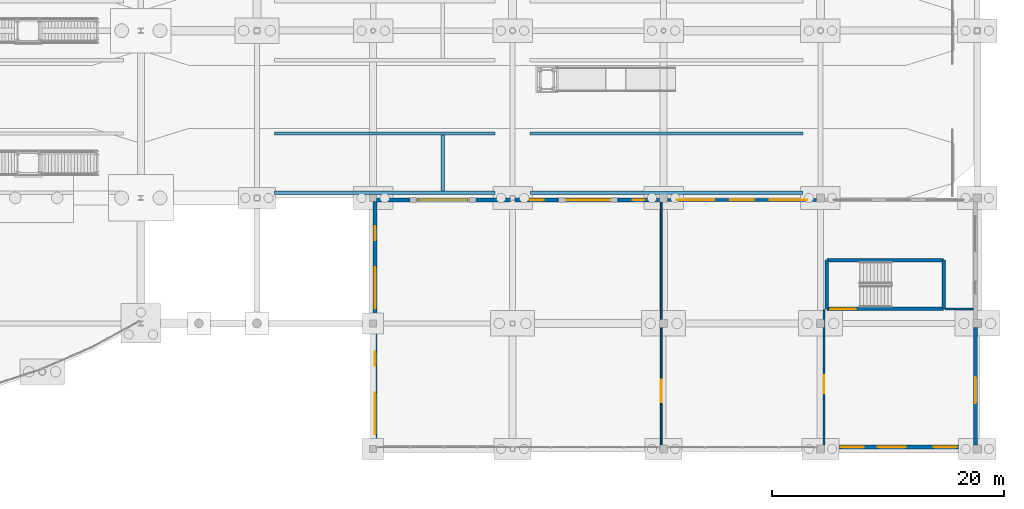
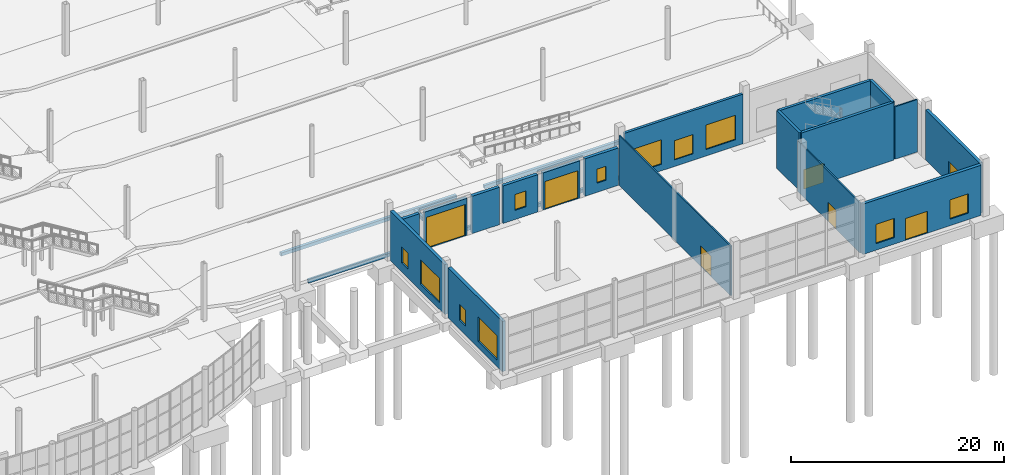
# One storey, part 92 of 115: 23 walls, 11 windows, 7 doors, 18 openings.
"""IFC4 building model written with IfcOpenShell, lengths in metres."""

from ifc_helpers import new_model, si_unit, direction, frame, frame_2d, origin, place, context, subcontext, project, spatial, rectangle, extrude, material, layer, layer_set, type_object, element, fill, save


model = new_model("IFC4")

# Units and contexts
model_context = context("Model", 3, precision=1e-05, world=origin(), true_north=direction((0.0, 1.0)))
body_context = subcontext(model_context, "Body", "Model", "MODEL_VIEW")
ifc_project = project(units=[si_unit("LENGTHUNIT", "METRE"), si_unit("AREAUNIT", "SQUARE_METRE"), si_unit("VOLUMEUNIT", "CUBIC_METRE"), si_unit("PLANEANGLEUNIT", "RADIAN"), si_unit("MASSUNIT", "GRAM", prefix="KILO")], contexts=[model_context])

# Site, building, storey
site_placement = place(None, origin())
site = spatial("IfcSite", under=ifc_project, at=site_placement, CompositionType="ELEMENT")
building_placement = place(site_placement, origin())
building = spatial("IfcBuilding", under=site, at=building_placement, Name="Tamarisk Ironworks Central Station", CompositionType="ELEMENT")
storey_placement = place(building_placement, origin())
storey = spatial("IfcBuildingStorey", under=building, at=storey_placement, Name="L00", CompositionType="ELEMENT", Elevation=0.0)

# Wall, openings, windows
ifc_material_1 = material(Name="Clay facing brickwork and mortar", Category="masonry")
ifc_layer_1 = layer(ifc_material_1, 0.280029296875)
ifc_layer_set_1 = layer_set([ifc_layer_1], Name="Clay facing brickwork and mortar")
wall_type_1 = type_object("IfcWallType", Name="WL-BR280", PredefinedType="STANDARD", material=ifc_layer_set_1)
wall_1_placement = place(storey_placement, frame((153.347900390625, 21.429931640625, 0.0), z_axis=(0.0, 0.0, 1.0), x_axis=(1.0, 0.0, 0.0)))
wall_1 = element("IfcWall", 1, at=wall_1_placement, inside=storey, type_object=wall_type_1, Name="L00 brick facade wall 0112", PredefinedType="STANDARD", context=body_context, shape_type="SweptSolid", body=[
    extrude(rectangle(XDim=12.80419921875, YDim=0.280029296875, at=frame_2d((6.402099609375, 0.0))), origin(), (0.0, 0.0, 1.0), 5.68994140625),
])
opening_1_placement = place(wall_1_placement, frame((0.801025390625, 0.0, 0.75)))
opening_1 = element("IfcOpeningElement", 2, at=opening_1_placement, cuts=wall_1, Name="Opening W02", PredefinedType="OPENING", context=body_context, shape_type="SweptSolid", body=[
    extrude(rectangle(XDim=3.199951171875, YDim=2.800048828125, at=frame_2d((1.60009765625, 1.39990234375))), frame((0.0, 0.15185546875, 0.0), z_axis=(0.0, -1.0, 0.0), x_axis=(1.0, 0.0, 0.0)), (0.0, 0.0, 1.0), 0.303955078125),
])
opening_2_placement = place(wall_1_placement, frame((5.402099609375, 0.0, 0.75)))
opening_2 = element("IfcOpeningElement", 3, at=opening_2_placement, cuts=wall_1, Name="Opening W08", PredefinedType="OPENING", context=body_context, shape_type="SweptSolid", body=[
    extrude(rectangle(XDim=2.0, YDim=2.199951171875, at=frame_2d((1.0, 1.10009765625))), frame((0.0, 0.15185546875, 0.0), z_axis=(0.0, -1.0, 0.0), x_axis=(1.0, 0.0, 0.0)), (0.0, 0.0, 1.0), 0.303955078125),
])
opening_3_placement = place(wall_1_placement, frame((8.802978515625, 0.0, 0.75)))
opening_3 = element("IfcOpeningElement", 4, at=opening_3_placement, cuts=wall_1, Name="Opening W02", PredefinedType="OPENING", context=body_context, shape_type="SweptSolid", body=[
    extrude(rectangle(XDim=3.199951171875, YDim=2.800048828125, at=frame_2d((1.60009765625, 1.39990234375))), frame((0.0, 0.15185546875, 0.0), z_axis=(0.0, -1.0, 0.0), x_axis=(1.0, 0.0, 0.0)), (0.0, 0.0, 1.0), 0.303955078125),
])
ifc_material_2 = material(Name="Laminated solar-control low-E glass", Category="glass")
window_type_1 = type_object("IfcWindowType", Name="WN-02", PartitioningType="SINGLE_PANEL", PredefinedType="WINDOW", material=ifc_material_2)
window_1_placement = place(opening_1_placement, origin())
window_1 = element("IfcWindow", 5, at=window_1_placement, inside=storey, type_object=window_type_1, Name="L00 exterior window 0184", OverallHeight=2.800048828125, OverallWidth=3.199951171875, PartitioningType="DOUBLE_PANEL_VERTICAL", PredefinedType="WINDOW", context=body_context, shape_type="SweptSolid", body=[
    extrude(rectangle(XDim=3.199951171875, YDim=2.800048828125, at=frame_2d((1.60009765625, 1.39990234375))), frame((0.0, 0.030029296875, 0.0), z_axis=(0.0, -1.0, 0.0), x_axis=(1.0, 0.0, 0.0)), (0.0, 0.0, 1.0), 0.06005859375),
])
fill(opening_1, window_1)
window_2_placement = place(opening_3_placement, origin())
window_2 = element("IfcWindow", 6, at=window_2_placement, inside=storey, type_object=window_type_1, Name="L00 exterior window 0186", OverallHeight=2.800048828125, OverallWidth=3.199951171875, PartitioningType="DOUBLE_PANEL_VERTICAL", PredefinedType="WINDOW", context=body_context, shape_type="SweptSolid", body=[
    extrude(rectangle(XDim=3.199951171875, YDim=2.800048828125, at=frame_2d((1.60009765625, 1.39990234375))), frame((0.0, 0.030029296875, 0.0), z_axis=(0.0, -1.0, 0.0), x_axis=(1.0, 0.0, 0.0)), (0.0, 0.0, 1.0), 0.06005859375),
])
fill(opening_3, window_2)
window_type_2 = type_object("IfcWindowType", Name="WN-08", PartitioningType="SINGLE_PANEL", PredefinedType="WINDOW", material=ifc_material_2)
window_3_placement = place(opening_2_placement, origin())
window_3 = element("IfcWindow", 7, at=window_3_placement, inside=storey, type_object=window_type_2, Name="L00 exterior window 0185", OverallHeight=2.199951171875, OverallWidth=2.0, PartitioningType="DOUBLE_PANEL_VERTICAL", PredefinedType="WINDOW", context=body_context, shape_type="SweptSolid", body=[
    extrude(rectangle(XDim=2.0, YDim=2.199951171875, at=frame_2d((1.0, 1.10009765625))), frame((0.0, 0.030029296875, 0.0), z_axis=(0.0, -1.0, 0.0), x_axis=(1.0, 0.0, 0.0)), (0.0, 0.0, 1.0), 0.06005859375),
])
fill(opening_2, window_3)

# Wall, openings, door, windows
ifc_layer_2 = layer(ifc_material_1, 0.340087890625)
ifc_layer_set_2 = layer_set([ifc_layer_2], Name="Clay facing brickwork and mortar")
wall_type_2 = type_object("IfcWallType", Name="WL-BR340", PredefinedType="STANDARD", material=ifc_layer_set_2)
wall_2_placement = place(storey_placement, frame((179.652099609375, 0.169921875, 0.0), z_axis=(0.0, 0.0, 1.0), x_axis=(-1.0, 0.0, 0.0)))
wall_2 = element("IfcWall", 8, at=wall_2_placement, inside=storey, type_object=wall_type_2, Name="L00 brick facade wall 0105", PredefinedType="STANDARD", context=body_context, shape_type="SweptSolid", body=[
    extrude(rectangle(XDim=12.80419921875, YDim=0.340087890625, at=frame_2d((6.402099609375, 0.0))), origin(), (0.0, 0.0, 1.0), 5.75),
])
opening_4_placement = place(wall_2_placement, frame((5.800048828125, 0.0, 0.0048828125)))
opening_4 = element("IfcOpeningElement", 9, at=opening_4_placement, cuts=wall_2, Name="Opening ED05", PredefinedType="OPENING", context=body_context, shape_type="SweptSolid", body=[
    extrude(rectangle(XDim=2.39990234375, YDim=2.5, at=frame_2d((1.199951171875, 1.25))), frame((0.0, 0.18212890625, 0.0), z_axis=(0.0, -1.0, 0.0), x_axis=(1.0, 0.0, 0.0)), (0.0, 0.0, 1.0), 0.364013671875),
])
opening_5_placement = place(wall_2_placement, frame((1.40087890625, 0.0, 0.75)))
opening_5 = element("IfcOpeningElement", 10, at=opening_5_placement, cuts=wall_2, Name="Opening W08", PredefinedType="OPENING", context=body_context, shape_type="SweptSolid", body=[
    extrude(rectangle(XDim=2.0, YDim=2.199951171875, at=frame_2d((1.0, 1.10009765625))), frame((0.0, 0.18212890625, 0.0), z_axis=(0.0, -1.0, 0.0), x_axis=(1.0, 0.0, 0.0)), (0.0, 0.0, 1.0), 0.364013671875),
])
opening_6_placement = place(wall_2_placement, frame((9.403076171875, 0.0, 0.75)))
opening_6 = element("IfcOpeningElement", 11, at=opening_6_placement, cuts=wall_2, Name="Opening W08", PredefinedType="OPENING", context=body_context, shape_type="SweptSolid", body=[
    extrude(rectangle(XDim=2.0, YDim=2.199951171875, at=frame_2d((1.0, 1.10009765625))), frame((0.0, 0.18212890625, 0.0), z_axis=(0.0, -1.0, 0.0), x_axis=(1.0, 0.0, 0.0)), (0.0, 0.0, 1.0), 0.364013671875),
])
ifc_material_3 = material(Name="Anodized aluminium alloy 6063-T6", Category="aluminium")
door_type_1 = type_object("IfcDoorType", Name="DR-ED05", OperationType="NOTDEFINED", PredefinedType="DOOR", material=ifc_material_3)
door_1_placement = place(opening_4_placement, origin())
door_1 = element("IfcDoor", 12, at=door_1_placement, inside=storey, type_object=door_type_1, Name="L00 exterior entrance door 0017", OperationType="DOUBLE_DOOR_SINGLE_SWING", OverallHeight=2.5, OverallWidth=2.39990234375, PredefinedType="DOOR", context=body_context, shape_type="SweptSolid", body=[
    extrude(rectangle(XDim=2.39990234375, YDim=2.5, at=frame_2d((1.199951171875, 1.25))), frame((0.0, 0.02490234375, 0.0), z_axis=(0.0, -1.0, 0.0), x_axis=(1.0, 0.0, 0.0)), (0.0, 0.0, 1.0), 0.050048828125),
])
fill(opening_4, door_1)
window_4_placement = place(opening_5_placement, origin())
window_4 = element("IfcWindow", 13, at=window_4_placement, inside=storey, type_object=window_type_2, Name="L00 exterior window 0180", OverallHeight=2.199951171875, OverallWidth=2.0, PartitioningType="DOUBLE_PANEL_VERTICAL", PredefinedType="WINDOW", context=body_context, shape_type="SweptSolid", body=[
    extrude(rectangle(XDim=2.0, YDim=2.199951171875, at=frame_2d((1.0, 1.10009765625))), frame((0.0, 0.030029296875, 0.0), z_axis=(0.0, -1.0, 0.0), x_axis=(1.0, 0.0, 0.0)), (0.0, 0.0, 1.0), 0.06005859375),
])
fill(opening_5, window_4)
window_5_placement = place(opening_6_placement, origin())
window_5 = element("IfcWindow", 14, at=window_5_placement, inside=storey, type_object=window_type_2, Name="L00 exterior window 0181", OverallHeight=2.199951171875, OverallWidth=2.0, PartitioningType="DOUBLE_PANEL_VERTICAL", PredefinedType="WINDOW", context=body_context, shape_type="SweptSolid", body=[
    extrude(rectangle(XDim=2.0, YDim=2.199951171875, at=frame_2d((1.0, 1.10009765625))), frame((0.0, 0.030029296875, 0.0), z_axis=(0.0, -1.0, 0.0), x_axis=(1.0, 0.0, 0.0)), (0.0, 0.0, 1.0), 0.06005859375),
])
fill(opening_6, window_5)

# Walls
wall_3_placement = place(storey_placement, frame((128.298095703125, 21.429931640625, 0.0), z_axis=(0.0, 0.0, 1.0), x_axis=(1.0, 0.0, 0.0)))
element("IfcWall", 15, at=wall_3_placement, inside=storey, type_object=wall_type_2, Name="L00 brick facade wall 0106", PredefinedType="STANDARD", context=body_context, shape_type="SweptSolid", body=[
    extrude(rectangle(XDim=2.85400390625, YDim=0.340087890625, at=frame_2d((1.427001953125, 0.0))), origin(), (0.0, 0.0, 1.0), 4.280029296875),
])
wall_4_placement = place(storey_placement, frame((136.847900390625, 21.429931640625, 0.0), z_axis=(0.0, 0.0, 1.0), x_axis=(1.0, 0.0, 0.0)))
element("IfcWall", 16, at=wall_4_placement, inside=storey, type_object=wall_type_2, Name="L00 brick facade wall 0107", PredefinedType="STANDARD", context=body_context, shape_type="SweptSolid", body=[
    extrude(rectangle(XDim=2.9541015625, YDim=0.340087890625, at=frame_2d((1.47705078125, 0.0))), origin(), (0.0, 0.0, 1.0), 4.280029296875),
])

# Wall, opening, door
wall_5_placement = place(storey_placement, frame((131.699951171875, 21.429931640625, 0.0), z_axis=(0.0, 0.0, 1.0), x_axis=(1.0, 0.0, 0.0)))
wall_5 = element("IfcWall", 17, at=wall_5_placement, inside=storey, type_object=wall_type_2, Name="L00 brick facade wall 0108", PredefinedType="STANDARD", context=body_context, shape_type="SweptSolid", body=[
    extrude(rectangle(XDim=4.60009765625, YDim=0.340087890625, at=frame_2d((2.300048828125, 0.0))), origin(), (0.0, 0.0, 1.0), 4.260009765625),
])
opening_7_placement = place(wall_5_placement, frame((0.199951171875, 0.0, 0.0048828125)))
opening_7 = element("IfcOpeningElement", 18, at=opening_7_placement, cuts=wall_5, Name="Opening SH01", PredefinedType="OPENING", context=body_context, shape_type="SweptSolid", body=[
    extrude(rectangle(XDim=4.199951171875, YDim=3.60009765625, at=frame_2d((2.10009765625, 1.800048828125))), frame((0.0, 0.18212890625, 0.0), z_axis=(0.0, -1.0, 0.0), x_axis=(1.0, 0.0, 0.0)), (0.0, 0.0, 1.0), 0.364013671875),
])
ifc_material_4 = material(Name="Galvanised roller-shutter steel", Category="steel")
door_type_2 = type_object("IfcDoorType", Name="DR-SH01", OperationType="NOTDEFINED", PredefinedType="GATE", material=ifc_material_4)
door_2_placement = place(opening_7_placement, origin())
door_2 = element("IfcDoor", 19, at=door_2_placement, inside=storey, type_object=door_type_2, Name="Service bay roller shutter 018", OperationType="ROLLINGUP", OverallHeight=3.60009765625, OverallWidth=4.199951171875, PredefinedType="GATE", context=body_context, shape_type="SweptSolid", body=[
    extrude(rectangle(XDim=4.199951171875, YDim=3.60009765625, at=frame_2d((2.10009765625, 1.800048828125))), frame((0.0, 0.02490234375, 0.0), z_axis=(0.0, -1.0, 0.0), x_axis=(1.0, 0.0, 0.0)), (0.0, 0.0, 1.0), 0.050048828125),
])
fill(opening_7, door_2)

# Wall, opening, window
wall_6_placement = place(storey_placement, frame((140.197998046875, 21.429931640625, 0.0), z_axis=(0.0, 0.0, 1.0), x_axis=(1.0, 0.0, 0.0)))
wall_6 = element("IfcWall", 20, at=wall_6_placement, inside=storey, type_object=wall_type_2, Name="L00 brick facade wall 0109", PredefinedType="STANDARD", context=body_context, shape_type="SweptSolid", body=[
    extrude(rectangle(XDim=3.75390625, YDim=0.340087890625, at=frame_2d((1.876953125, 0.0))), origin(), (0.0, 0.0, 1.0), 4.280029296875),
])
opening_8_placement = place(wall_6_placement, frame((1.277099609375, 0.0, 1.050048828125)))
opening_8 = element("IfcOpeningElement", 21, at=opening_8_placement, cuts=wall_6, Name="Opening W13", PredefinedType="OPENING", context=body_context, shape_type="SweptSolid", body=[
    extrude(rectangle(XDim=1.199951171875, YDim=1.800048828125, at=frame_2d((0.60009765625, 0.89990234375))), frame((0.0, 0.18212890625, 0.0), z_axis=(0.0, -1.0, 0.0), x_axis=(1.0, 0.0, 0.0)), (0.0, 0.0, 1.0), 0.364013671875),
])
window_type_3 = type_object("IfcWindowType", Name="WN-13", PartitioningType="SINGLE_PANEL", PredefinedType="WINDOW", material=ifc_material_2)
window_6_placement = place(opening_8_placement, origin())
window_6 = element("IfcWindow", 22, at=window_6_placement, inside=storey, type_object=window_type_3, Name="L00 exterior window 0182", OverallHeight=1.800048828125, OverallWidth=1.199951171875, PartitioningType="DOUBLE_PANEL_VERTICAL", PredefinedType="WINDOW", context=body_context, shape_type="SweptSolid", body=[
    extrude(rectangle(XDim=1.199951171875, YDim=1.800048828125, at=frame_2d((0.60009765625, 0.89990234375))), frame((0.0, 0.030029296875, 0.0), z_axis=(0.0, -1.0, 0.0), x_axis=(1.0, 0.0, 0.0)), (0.0, 0.0, 1.0), 0.06005859375),
])
fill(opening_8, window_6)

wall_7_placement = place(storey_placement, frame((149.048095703125, 21.429931640625, 0.0), z_axis=(0.0, 0.0, 1.0), x_axis=(1.0, 0.0, 0.0)))
wall_7 = element("IfcWall", 23, at=wall_7_placement, inside=storey, type_object=wall_type_2, Name="L00 brick facade wall 0110", PredefinedType="STANDARD", context=body_context, shape_type="SweptSolid", body=[
    extrude(rectangle(XDim=3.60400390625, YDim=0.340087890625, at=frame_2d((1.802001953125, 0.0))), origin(), (0.0, 0.0, 1.0), 4.280029296875),
])
opening_9_placement = place(wall_7_placement, frame((1.302001953125, 0.0, 1.050048828125)))
opening_9 = element("IfcOpeningElement", 24, at=opening_9_placement, cuts=wall_7, Name="Opening W14", PredefinedType="OPENING", context=body_context, shape_type="SweptSolid", body=[
    extrude(rectangle(XDim=1.0, YDim=1.60009765625, at=frame_2d((0.5, 0.800048828125))), frame((0.0, 0.18212890625, 0.0), z_axis=(0.0, -1.0, 0.0), x_axis=(1.0, 0.0, 0.0)), (0.0, 0.0, 1.0), 0.364013671875),
])
window_type_4 = type_object("IfcWindowType", Name="WN-14", PartitioningType="SINGLE_PANEL", PredefinedType="WINDOW", material=ifc_material_2)
window_7_placement = place(opening_9_placement, origin())
window_7 = element("IfcWindow", 25, at=window_7_placement, inside=storey, type_object=window_type_4, Name="L00 exterior window 0183", OverallHeight=1.60009765625, OverallWidth=1.0, PartitioningType="DOUBLE_PANEL_VERTICAL", PredefinedType="WINDOW", context=body_context, shape_type="SweptSolid", body=[
    extrude(rectangle(XDim=1.0, YDim=1.60009765625, at=frame_2d((0.5, 0.800048828125))), frame((0.0, 0.030029296875, 0.0), z_axis=(0.0, -1.0, 0.0), x_axis=(1.0, 0.0, 0.0)), (0.0, 0.0, 1.0), 0.06005859375),
])
fill(opening_9, window_7)

# Wall, opening, door
wall_8_placement = place(storey_placement, frame((144.5, 21.429931640625, 0.0), z_axis=(0.0, 0.0, 1.0), x_axis=(1.0, 0.0, 0.0)))
wall_8 = element("IfcWall", 26, at=wall_8_placement, inside=storey, type_object=wall_type_2, Name="L00 brick facade wall 0111", PredefinedType="STANDARD", context=body_context, shape_type="SweptSolid", body=[
    extrude(rectangle(XDim=4.0, YDim=0.340087890625, at=frame_2d((2.0, 0.0))), origin(), (0.0, 0.0, 1.0), 4.260009765625),
])
opening_10_placement = place(wall_8_placement, frame((0.199951171875, 0.0, 0.0048828125)))
opening_10 = element("IfcOpeningElement", 27, at=opening_10_placement, cuts=wall_8, Name="Opening SH02", PredefinedType="OPENING", context=body_context, shape_type="SweptSolid", body=[
    extrude(rectangle(XDim=3.60009765625, YDim=3.199951171875, at=frame_2d((1.800048828125, 1.60009765625))), frame((0.0, 0.18212890625, 0.0), z_axis=(0.0, -1.0, 0.0), x_axis=(1.0, 0.0, 0.0)), (0.0, 0.0, 1.0), 0.364013671875),
])
door_type_3 = type_object("IfcDoorType", Name="DR-SH02", OperationType="NOTDEFINED", PredefinedType="GATE", material=ifc_material_4)
door_3_placement = place(opening_10_placement, origin())
door_3 = element("IfcDoor", 28, at=door_3_placement, inside=storey, type_object=door_type_3, Name="Service bay roller shutter 019", OperationType="ROLLINGUP", OverallHeight=3.199951171875, OverallWidth=3.60009765625, PredefinedType="GATE", context=body_context, shape_type="SweptSolid", body=[
    extrude(rectangle(XDim=3.60009765625, YDim=3.199951171875, at=frame_2d((1.800048828125, 1.60009765625))), frame((0.0, 0.02490234375, 0.0), z_axis=(0.0, -1.0, 0.0), x_axis=(1.0, 0.0, 0.0)), (0.0, 0.0, 1.0), 0.050048828125),
])
fill(opening_10, door_3)

# Wall, openings, windows
wall_9_placement = place(storey_placement, frame((128.169921875, 0.298095703125, 0.0), z_axis=(0.0, 0.0, 1.0), x_axis=(0.0, 1.0, 0.0)))
wall_9 = element("IfcWall", 29, at=wall_9_placement, inside=storey, type_object=wall_type_2, Name="L00 brick facade wall 0114", PredefinedType="STANDARD", context=body_context, shape_type="SweptSolid", body=[
    extrude(rectangle(XDim=10.203857421875, YDim=0.340087890625, at=frame_2d((5.10205078125, 0.0))), origin(), (0.0, 0.0, 1.0), 5.75),
])
opening_11_placement = place(wall_9_placement, frame((0.950927734375, 0.0, 0.75)))
opening_11 = element("IfcOpeningElement", 30, at=opening_11_placement, cuts=wall_9, Name="Opening W01", PredefinedType="OPENING", context=body_context, shape_type="SweptSolid", body=[
    extrude(rectangle(XDim=3.60009765625, YDim=2.800048828125, at=frame_2d((1.800048828125, 1.39990234375))), frame((0.0, 0.18212890625, 0.0), z_axis=(0.0, -1.0, 0.0), x_axis=(1.0, 0.0, 0.0)), (0.0, 0.0, 1.0), 0.364013671875),
])
opening_12_placement = place(wall_9_placement, frame((6.85302734375, 0.0, 1.050048828125)))
opening_12 = element("IfcOpeningElement", 31, at=opening_12_placement, cuts=wall_9, Name="Opening W13", PredefinedType="OPENING", context=body_context, shape_type="SweptSolid", body=[
    extrude(rectangle(XDim=1.199951171875, YDim=1.800048828125, at=frame_2d((0.60009765625, 0.89990234375))), frame((0.0, 0.18212890625, 0.0), z_axis=(0.0, -1.0, 0.0), x_axis=(1.0, 0.0, 0.0)), (0.0, 0.0, 1.0), 0.364013671875),
])
window_type_5 = type_object("IfcWindowType", Name="WN-01", PartitioningType="SINGLE_PANEL", PredefinedType="WINDOW", material=ifc_material_2)
window_8_placement = place(opening_11_placement, origin())
window_8 = element("IfcWindow", 32, at=window_8_placement, inside=storey, type_object=window_type_5, Name="L00 exterior window 0190", OverallHeight=2.800048828125, OverallWidth=3.60009765625, PartitioningType="DOUBLE_PANEL_VERTICAL", PredefinedType="WINDOW", context=body_context, shape_type="SweptSolid", body=[
    extrude(rectangle(XDim=3.60009765625, YDim=2.800048828125, at=frame_2d((1.800048828125, 1.39990234375))), frame((0.0, 0.030029296875, 0.0), z_axis=(0.0, -1.0, 0.0), x_axis=(1.0, 0.0, 0.0)), (0.0, 0.0, 1.0), 0.06005859375),
])
fill(opening_11, window_8)
window_9_placement = place(opening_12_placement, origin())
window_9 = element("IfcWindow", 33, at=window_9_placement, inside=storey, type_object=window_type_3, Name="L00 exterior window 0191", OverallHeight=1.800048828125, OverallWidth=1.199951171875, PartitioningType="DOUBLE_PANEL_VERTICAL", PredefinedType="WINDOW", context=body_context, shape_type="SweptSolid", body=[
    extrude(rectangle(XDim=1.199951171875, YDim=1.800048828125, at=frame_2d((0.60009765625, 0.89990234375))), frame((0.0, 0.030029296875, 0.0), z_axis=(0.0, -1.0, 0.0), x_axis=(1.0, 0.0, 0.0)), (0.0, 0.0, 1.0), 0.06005859375),
])
fill(opening_12, window_9)

# Wall, opening, door
wall_10_placement = place(storey_placement, frame((179.830078125, 10.451904296875, 0.0), z_axis=(0.0, 0.0, 1.0), x_axis=(0.0, -1.0, 0.0)))
wall_10 = element("IfcWall", 34, at=wall_10_placement, inside=storey, type_object=wall_type_2, Name="L00 brick facade wall 0115", PredefinedType="STANDARD", context=body_context, shape_type="SweptSolid", body=[
    extrude(rectangle(XDim=10.10400390625, YDim=0.340087890625, at=frame_2d((5.052001953125, 0.0))), origin(), (0.0, 0.0, 1.0), 5.75),
])
opening_13_placement = place(wall_10_placement, frame((4.300048828125, 0.0, 0.0048828125)))
opening_13 = element("IfcOpeningElement", 35, at=opening_13_placement, cuts=wall_10, Name="Opening ED06", PredefinedType="OPENING", context=body_context, shape_type="SweptSolid", body=[
    extrude(rectangle(XDim=2.199951171875, YDim=2.449951171875, at=frame_2d((1.10009765625, 1.22509765625))), frame((0.0, 0.18212890625, 0.0), z_axis=(0.0, -1.0, 0.0), x_axis=(1.0, 0.0, 0.0)), (0.0, 0.0, 1.0), 0.364013671875),
])
door_type_4 = type_object("IfcDoorType", Name="DR-ED06", OperationType="NOTDEFINED", PredefinedType="DOOR", material=ifc_material_3)
door_4_placement = place(opening_13_placement, origin())
door_4 = element("IfcDoor", 36, at=door_4_placement, inside=storey, type_object=door_type_4, Name="L00 exterior entrance door 0020", OperationType="SINGLE_SWING_LEFT", OverallHeight=2.449951171875, OverallWidth=2.199951171875, PredefinedType="DOOR", context=body_context, shape_type="SweptSolid", body=[
    extrude(rectangle(XDim=2.199951171875, YDim=2.449951171875, at=frame_2d((1.10009765625, 1.22509765625))), frame((0.0, 0.02490234375, 0.0), z_axis=(0.0, -1.0, 0.0), x_axis=(1.0, 0.0, 0.0)), (0.0, 0.0, 1.0), 0.050048828125),
])
fill(opening_13, door_4)

# Wall, openings, windows
wall_11_placement = place(storey_placement, frame((128.169921875, 11.097900390625, 0.0), z_axis=(0.0, 0.0, 1.0), x_axis=(0.0, 1.0, 0.0)))
wall_11 = element("IfcWall", 37, at=wall_11_placement, inside=storey, type_object=wall_type_2, Name="L00 brick facade wall 0116", PredefinedType="STANDARD", context=body_context, shape_type="SweptSolid", body=[
    extrude(rectangle(XDim=10.2041015625, YDim=0.340087890625, at=frame_2d((5.10205078125, 0.0))), origin(), (0.0, 0.0, 1.0), 5.68994140625),
])
opening_14_placement = place(wall_11_placement, frame((0.950927734375, 0.0, 0.75)))
opening_14 = element("IfcOpeningElement", 38, at=opening_14_placement, cuts=wall_11, Name="Opening W01", PredefinedType="OPENING", context=body_context, shape_type="SweptSolid", body=[
    extrude(rectangle(XDim=3.60009765625, YDim=2.800048828125, at=frame_2d((1.800048828125, 1.39990234375))), frame((0.0, 0.18212890625, 0.0), z_axis=(0.0, -1.0, 0.0), x_axis=(1.0, 0.0, 0.0)), (0.0, 0.0, 1.0), 0.364013671875),
])
opening_15_placement = place(wall_11_placement, frame((6.85302734375, 0.0, 1.050048828125)))
opening_15 = element("IfcOpeningElement", 39, at=opening_15_placement, cuts=wall_11, Name="Opening W13", PredefinedType="OPENING", context=body_context, shape_type="SweptSolid", body=[
    extrude(rectangle(XDim=1.199951171875, YDim=1.800048828125, at=frame_2d((0.60009765625, 0.89990234375))), frame((0.0, 0.18212890625, 0.0), z_axis=(0.0, -1.0, 0.0), x_axis=(1.0, 0.0, 0.0)), (0.0, 0.0, 1.0), 0.364013671875),
])
window_10_placement = place(opening_14_placement, origin())
window_10 = element("IfcWindow", 40, at=window_10_placement, inside=storey, type_object=window_type_5, Name="L00 exterior window 0192", OverallHeight=2.800048828125, OverallWidth=3.60009765625, PartitioningType="DOUBLE_PANEL_VERTICAL", PredefinedType="WINDOW", context=body_context, shape_type="SweptSolid", body=[
    extrude(rectangle(XDim=3.60009765625, YDim=2.800048828125, at=frame_2d((1.800048828125, 1.39990234375))), frame((0.0, 0.030029296875, 0.0), z_axis=(0.0, -1.0, 0.0), x_axis=(1.0, 0.0, 0.0)), (0.0, 0.0, 1.0), 0.06005859375),
])
fill(opening_14, window_10)
window_11_placement = place(opening_15_placement, origin())
window_11 = element("IfcWindow", 41, at=window_11_placement, inside=storey, type_object=window_type_3, Name="L00 exterior window 0193", OverallHeight=1.800048828125, OverallWidth=1.199951171875, PartitioningType="DOUBLE_PANEL_VERTICAL", PredefinedType="WINDOW", context=body_context, shape_type="SweptSolid", body=[
    extrude(rectangle(XDim=1.199951171875, YDim=1.800048828125, at=frame_2d((0.60009765625, 0.89990234375))), frame((0.0, 0.030029296875, 0.0), z_axis=(0.0, -1.0, 0.0), x_axis=(1.0, 0.0, 0.0)), (0.0, 0.0, 1.0), 0.06005859375),
])
fill(opening_15, window_11)

# Walls
ifc_material_5 = material(Name="Concrete C50/60", Category="concrete")
ifc_layer_3 = layer(ifc_material_5, 0.300048828125)
ifc_layer_set_3 = layer_set([ifc_layer_3], Name="Concrete C50/60")
wall_type_3 = type_object("IfcWallType", Name="WL-CW300", PredefinedType="SOLIDWALL", material=ifc_layer_set_3)
for number, where, z_axis, x_axis, name in (
    (42, (119.5, 22.050048828125, 0.0), (0.0, 0.0, 1.0), (1.0, 0.0, 0.0), "Platform P1 E structural plinth wall 009"),
    (43, (119.5, 27.14990234375, 0.0), (0.0, 0.0, 1.0), (1.0, 0.0, 0.0), "Platform P1 E structural plinth wall 010"),
):
    element("IfcWall", number, at=place(storey_placement, frame(where, z_axis=z_axis, x_axis=x_axis)), inside=storey, type_object=wall_type_3, Name=name, PredefinedType="SOLIDWALL", context=body_context, shape_type="SweptSolid", body=[
        extrude(rectangle(XDim=19.0, YDim=0.300048828125, at=frame_2d((9.5, 0.0))), origin(), (0.0, 0.0, 1.0), 0.375),
    ])
for number, where, z_axis, x_axis, name in (
    (44, (141.5, 22.050048828125, 0.0), (0.0, 0.0, 1.0), (1.0, 0.0, 0.0), "Platform P1 E structural plinth wall 011"),
    (45, (141.5, 27.14990234375, 0.0), (0.0, 0.0, 1.0), (1.0, 0.0, 0.0), "Platform P1 E structural plinth wall 012"),
):
    element("IfcWall", number, at=place(storey_placement, frame(where, z_axis=z_axis, x_axis=x_axis)), inside=storey, type_object=wall_type_3, Name=name, PredefinedType="SOLIDWALL", context=body_context, shape_type="SweptSolid", body=[
        extrude(rectangle(XDim=23.5, YDim=0.300048828125, at=frame_2d((11.75, 0.0))), origin(), (0.0, 0.0, 1.0), 0.375),
    ])
wall_12_placement = place(storey_placement, frame((134.0, 22.199951171875, 0.0), z_axis=(0.0, 0.0, 1.0), x_axis=(0.0, 1.0, 0.0)))
element("IfcWall", 46, at=wall_12_placement, inside=storey, type_object=wall_type_3, Name="Platform P1 E transverse diaphragm wall 013", PredefinedType="SOLIDWALL", context=body_context, shape_type="SweptSolid", body=[
    extrude(rectangle(XDim=4.800048828125, YDim=0.300048828125, at=frame_2d((2.39990234375, 0.0))), origin(), (0.0, 0.0, 1.0), 0.375),
])

# Wall, opening, door
wall_13_placement = place(storey_placement, frame((167.054931640625, 12.054931640625, 0.0), z_axis=(0.0, 0.0, 1.0), x_axis=(1.0, 0.0, 0.0)))
wall_13 = element("IfcWall", 47, at=wall_13_placement, inside=storey, type_object=wall_type_3, Name="ST-C7 core wall L (L00)", PredefinedType="SOLIDWALL", context=body_context, shape_type="SweptSolid", body=[
    extrude(rectangle(XDim=10.0400390625, YDim=0.300048828125, at=frame_2d((5.02001953125, 0.0))), origin(), (0.0, 0.0, 1.0), 6.60009765625),
])
opening_16_placement = place(wall_13_placement, frame((0.35009765625, 0.0, 0.0048828125)))
opening_16 = element("IfcOpeningElement", 48, at=opening_16_placement, cuts=wall_13, Name="Opening FD01", PredefinedType="OPENING", context=body_context, shape_type="SweptSolid", body=[
    extrude(rectangle(XDim=2.14990234375, YDim=2.199951171875, at=frame_2d((1.074951171875, 1.10009765625))), frame((0.0, 0.162109375, 0.0), z_axis=(0.0, -1.0, 0.0), x_axis=(1.0, 0.0, 0.0)), (0.0, 0.0, 1.0), 0.323974609375),
])
ifc_material_6 = material(Name="Galvanised hollow-metal door steel", Category="steel")
door_type_5 = type_object("IfcDoorType", Name="DR-FD01", OperationType="NOTDEFINED", PredefinedType="DOOR", material=ifc_material_6)
door_5_placement = place(opening_16_placement, origin())
door_5 = element("IfcDoor", 49, at=door_5_placement, inside=storey, type_object=door_type_5, Name="ST-C7 fire stair door (L00)", OperationType="SINGLE_SWING_LEFT", OverallHeight=2.199951171875, OverallWidth=2.14990234375, PredefinedType="DOOR", context=body_context, shape_type="SweptSolid", body=[
    extrude(rectangle(XDim=2.14990234375, YDim=2.199951171875, at=frame_2d((1.074951171875, 1.10009765625))), frame((0.0, 0.02490234375, 0.0), z_axis=(0.0, -1.0, 0.0), x_axis=(1.0, 0.0, 0.0)), (0.0, 0.0, 1.0), 0.050048828125),
])
fill(opening_16, door_5)

# Walls
wall_14_placement = place(storey_placement, frame((167.054931640625, 16.2451171875, 0.0), z_axis=(0.0, 0.0, 1.0), x_axis=(1.0, 0.0, 0.0)))
element("IfcWall", 50, at=wall_14_placement, inside=storey, type_object=wall_type_3, Name="ST-C7 core wall R (L00)", PredefinedType="SOLIDWALL", context=body_context, shape_type="SweptSolid", body=[
    extrude(rectangle(XDim=10.0400390625, YDim=0.300048828125, at=frame_2d((5.02001953125, 0.0))), origin(), (0.0, 0.0, 1.0), 6.60009765625),
])
for number, where, z_axis, x_axis, name in (
    (51, (167.054931640625, 12.054931640625, 0.0), (0.0, 0.0, 1.0), (0.0, 1.0, 0.0), "ST-C7 core wall N (L00)"),
    (52, (177.094970703125, 12.054931640625, 0.0), (0.0, 0.0, 1.0), (0.0, 1.0, 0.0), "ST-C7 core wall F (L00)"),
):
    element("IfcWall", number, at=place(storey_placement, frame(where, z_axis=z_axis, x_axis=x_axis)), inside=storey, type_object=wall_type_3, Name=name, PredefinedType="SOLIDWALL", context=body_context, shape_type="SweptSolid", body=[
        extrude(rectangle(XDim=4.190185546875, YDim=0.300048828125, at=frame_2d((2.09521484375, 0.0))), origin(), (0.0, 0.0, 1.0), 6.60009765625),
    ])

# Wall, opening, door
ifc_material_7 = material(Name="Gypsum plasterboard acoustic partition")
ifc_layer_4 = layer(ifc_material_7, 0.14990234375)
ifc_layer_set_4 = layer_set([ifc_layer_4], Name="Gypsum plasterboard acoustic partition")
wall_type_4 = type_object("IfcWallType", Name="WL-PT150", PredefinedType="PARTITIONING", material=ifc_layer_set_4)
wall_15_placement = place(storey_placement, frame((152.800048828125, 0.347900390625, 0.0), z_axis=(0.0, 0.0, 1.0), x_axis=(0.0, 1.0, 0.0)))
wall_15 = element("IfcWall", 53, at=wall_15_placement, inside=storey, type_object=wall_type_4, Name="L00 interior partition 0016", PredefinedType="PARTITIONING", context=body_context, shape_type="SweptSolid", body=[
    extrude(rectangle(XDim=20.904052734375, YDim=0.14990234375, at=frame_2d((10.4521484375, 0.0))), origin(), (0.0, 0.0, 1.0), 5.68994140625),
])
opening_17_placement = place(wall_15_placement, frame((3.652099609375, 0.0, 0.0048828125)))
opening_17 = element("IfcOpeningElement", 54, at=opening_17_placement, cuts=wall_15, Name="Opening D02", PredefinedType="OPENING", context=body_context, shape_type="SweptSolid", body=[
    extrude(rectangle(XDim=1.949951171875, YDim=2.300048828125, at=frame_2d((0.97509765625, 1.14990234375))), frame((0.0, 0.0869140625, 0.0), z_axis=(0.0, -1.0, 0.0), x_axis=(1.0, 0.0, 0.0)), (0.0, 0.0, 1.0), 0.173828125),
])
door_type_6 = type_object("IfcDoorType", Name="DR-ID02", OperationType="NOTDEFINED", PredefinedType="DOOR", material=ifc_material_3)
door_6_placement = place(opening_17_placement, origin())
door_6 = element("IfcDoor", 55, at=door_6_placement, inside=storey, type_object=door_type_6, Name="L00 room door 0013", OperationType="DOUBLE_DOOR_SINGLE_SWING", OverallHeight=2.300048828125, OverallWidth=1.949951171875, PredefinedType="DOOR", context=body_context, shape_type="SweptSolid", body=[
    extrude(rectangle(XDim=1.949951171875, YDim=2.300048828125, at=frame_2d((0.97509765625, 1.14990234375))), frame((0.0, 0.02490234375, 0.0), z_axis=(0.0, -1.0, 0.0), x_axis=(1.0, 0.0, 0.0)), (0.0, 0.0, 1.0), 0.050048828125),
])
fill(opening_17, door_6)

wall_16_placement = place(storey_placement, frame((166.800048828125, 0.347900390625, 0.0), z_axis=(0.0, 0.0, 1.0), x_axis=(0.0, 1.0, 0.0)))
wall_16 = element("IfcWall", 56, at=wall_16_placement, inside=storey, type_object=wall_type_4, Name="L00 interior partition 0017", PredefinedType="PARTITIONING", context=body_context, shape_type="SweptSolid", body=[
    extrude(rectangle(XDim=11.652099609375, YDim=0.14990234375, at=frame_2d((5.826171875, 0.0))), origin(), (0.0, 0.0, 1.0), 5.739990234375),
])
opening_18_placement = place(wall_16_placement, frame((4.451904296875, 0.0, 0.0048828125)))
opening_18 = element("IfcOpeningElement", 57, at=opening_18_placement, cuts=wall_16, Name="Opening FD04", PredefinedType="OPENING", context=body_context, shape_type="SweptSolid", body=[
    extrude(rectangle(XDim=1.550048828125, YDim=2.199951171875, at=frame_2d((0.77490234375, 1.10009765625))), frame((0.0, 0.0869140625, 0.0), z_axis=(0.0, -1.0, 0.0), x_axis=(1.0, 0.0, 0.0)), (0.0, 0.0, 1.0), 0.173828125),
])
door_type_7 = type_object("IfcDoorType", Name="DR-FD04", OperationType="NOTDEFINED", PredefinedType="DOOR", material=ifc_material_6)
door_7_placement = place(opening_18_placement, origin())
door_7 = element("IfcDoor", 58, at=door_7_placement, inside=storey, type_object=door_type_7, Name="L00 room door 0014", OperationType="SINGLE_SWING_RIGHT", OverallHeight=2.199951171875, OverallWidth=1.550048828125, PredefinedType="DOOR", context=body_context, shape_type="SweptSolid", body=[
    extrude(rectangle(XDim=1.550048828125, YDim=2.199951171875, at=frame_2d((0.77490234375, 1.10009765625))), frame((0.0, 0.02490234375, 0.0), z_axis=(0.0, -1.0, 0.0), x_axis=(1.0, 0.0, 0.0)), (0.0, 0.0, 1.0), 0.050048828125),
])
fill(opening_18, door_7)

# Wall
wall_17_placement = place(storey_placement, frame((177.242919921875, 12.050048828125, 0.0), z_axis=(0.0, 0.0, 1.0), x_axis=(1.0, 0.0, 0.0)))
element("IfcWall", 59, at=wall_17_placement, inside=storey, type_object=wall_type_4, Name="L00 interior partition 0018", PredefinedType="PARTITIONING", context=body_context, shape_type="SweptSolid", body=[
    extrude(rectangle(XDim=2.419189453125, YDim=0.14990234375, at=frame_2d((1.20947265625, 0.0))), origin(), (0.0, 0.0, 1.0), 6.0),
])

save(model, "model.ifc")
